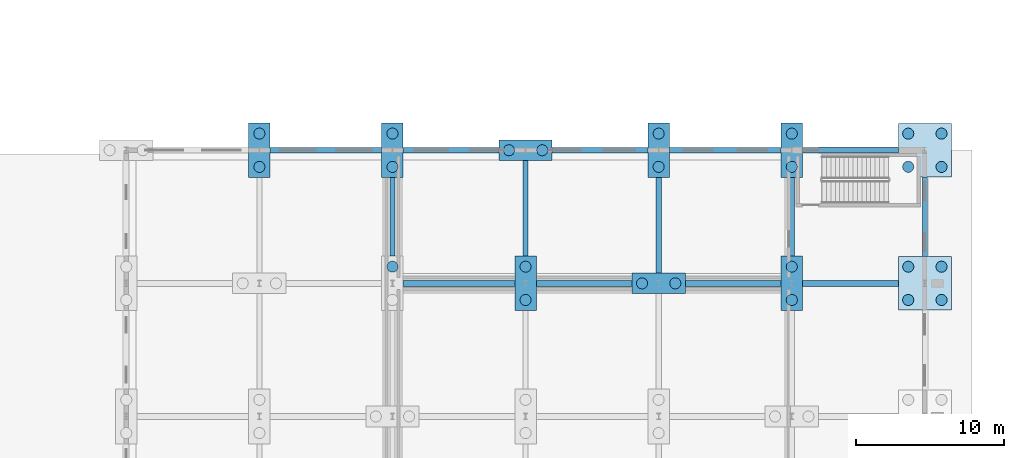
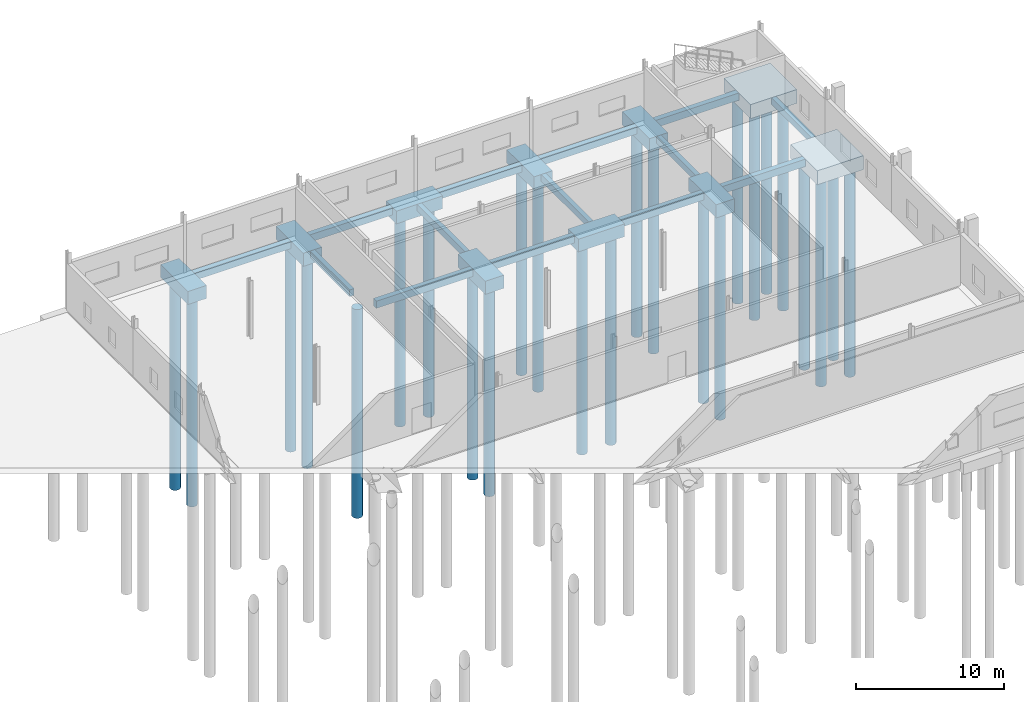
# One storey, part 18 of 112: 25 piles, 24 footings.
"""IFC4 building model written with IfcOpenShell, lengths in metres."""

from ifc_helpers import new_model, si_unit, direction, frame, origin, origin_2d, place, context, subcontext, project, spatial, polyline, rectangle, circle, outline, extrude, material, material_profile, profile_set, type_object, element, save


model = new_model("IFC4")

# Units and contexts
model_context = context("Model", 3, precision=1e-05, world=origin(), true_north=direction((0.0, 1.0)))
body_context = subcontext(model_context, "Body", "Model", "MODEL_VIEW")
ifc_project = project(units=[si_unit("LENGTHUNIT", "METRE"), si_unit("AREAUNIT", "SQUARE_METRE"), si_unit("VOLUMEUNIT", "CUBIC_METRE"), si_unit("PLANEANGLEUNIT", "RADIAN"), si_unit("MASSUNIT", "GRAM", prefix="KILO")], contexts=[model_context])

# Site, building, storey
site_placement = place(None, origin())
site = spatial("IfcSite", under=ifc_project, at=site_placement, CompositionType="ELEMENT")
building_placement = place(site_placement, origin())
building = spatial("IfcBuilding", under=site, at=building_placement, Name="Tharagai Park Tramway Depot", CompositionType="ELEMENT")
storey_placement = place(building_placement, origin())
storey = spatial("IfcBuildingStorey", under=building, at=storey_placement, Name="L00", CompositionType="ELEMENT", Elevation=0.0)

# Piles
ifc_material = material(Name="Concrete M40", Category="concrete")
ifc_material_profile = material_profile(ifc_material, circle(Radius=0.375, at=origin_2d()), Name="PILE D750")
ifc_profile_set = profile_set([ifc_material_profile], Name="Concrete M40")
pile_type = type_object("IfcPileType", Name="BP-02", PredefinedType="BORED", material=ifc_profile_set)
for number, where, z_axis, x_axis, name in (
    (1, (171.0, 133.875, -1.280029296875), (0.0, 0.0, -1.0), (1.0, 0.0, 0.0), "Bored Pile BP-02 (171,135) #1"),
    (2, (171.0, 136.125, -1.280029296875), (0.0, 0.0, -1.0), (1.0, 0.0, 0.0), "Bored Pile BP-02 (171,135) #2"),
    (3, (180.0, 127.125, -1.280029296875), (0.0, 0.0, -1.0), (1.0, 0.0, 0.0), "Bored Pile BP-02 (180,126) #2"),
    (4, (180.0, 133.875, -1.280029296875), (0.0, 0.0, -1.0), (1.0, 0.0, 0.0), "Bored Pile BP-02 (180,135) #1"),
    (5, (180.0, 136.125, -1.280029296875), (0.0, 0.0, -1.0), (1.0, 0.0, 0.0), "Bored Pile BP-02 (180,135) #2"),
    (6, (189.0, 124.875, -1.280029296875), (0.0, 0.0, -1.0), (1.0, 0.0, 0.0), "Bored Pile BP-02 (189,126) #1"),
    (7, (189.0, 127.125, -1.280029296875), (0.0, 0.0, -1.0), (1.0, 0.0, 0.0), "Bored Pile BP-02 (189,126) #2"),
):
    element("IfcPile", number, at=place(storey_placement, frame(where, z_axis=z_axis, x_axis=x_axis)), inside=storey, type_object=pile_type, Name=name, PredefinedType="BORED", context=body_context, shape_type="SweptSolid", body=[
        extrude(circle(Radius=0.375, at=origin_2d()), origin(), (0.0, 0.0, 1.0), 17.219970703125),
    ])
for number, where, z_axis, x_axis, name in (
    (8, (187.875, 135.0, -1.25), (0.0, 0.0, -1.0), (1.0, 0.0, 0.0), "Bored Pile BP-02 (189,135) #1"),
    (9, (190.125, 135.0, -1.25), (0.0, 0.0, -1.0), (1.0, 0.0, 0.0), "Bored Pile BP-02 (189,135) #2"),
    (10, (196.875, 126.0, -1.25), (0.0, 0.0, -1.0), (1.0, 0.0, 0.0), "Bored Pile BP-02 (198,126) #1"),
    (11, (199.125, 126.0, -1.25), (0.0, 0.0, -1.0), (1.0, 0.0, 0.0), "Bored Pile BP-02 (198,126) #2"),
):
    element("IfcPile", number, at=place(storey_placement, frame(where, z_axis=z_axis, x_axis=x_axis)), inside=storey, type_object=pile_type, Name=name, PredefinedType="BORED", context=body_context, shape_type="SweptSolid", body=[
        extrude(circle(Radius=0.375, at=origin_2d()), origin(), (0.0, 0.0, 1.0), 17.25),
    ])
for number, where, z_axis, x_axis, name in (
    (12, (198.0, 133.875, -1.280029296875), (0.0, 0.0, -1.0), (1.0, 0.0, 0.0), "Bored Pile BP-02 (198,135) #1"),
    (13, (198.0, 136.125, -1.280029296875), (0.0, 0.0, -1.0), (1.0, 0.0, 0.0), "Bored Pile BP-02 (198,135) #2"),
    (14, (207.0, 124.875, -1.280029296875), (0.0, 0.0, -1.0), (1.0, 0.0, 0.0), "Bored Pile BP-02 (207,126) #1"),
    (15, (207.0, 127.125, -1.280029296875), (0.0, 0.0, -1.0), (1.0, 0.0, 0.0), "Bored Pile BP-02 (207,126) #2"),
    (16, (207.0, 133.875, -1.280029296875), (0.0, 0.0, -1.0), (1.0, 0.0, 0.0), "Bored Pile BP-02 (207,135) #1"),
    (17, (207.0, 136.125, -1.280029296875), (0.0, 0.0, -1.0), (1.0, 0.0, 0.0), "Bored Pile BP-02 (207,135) #2"),
):
    element("IfcPile", number, at=place(storey_placement, frame(where, z_axis=z_axis, x_axis=x_axis)), inside=storey, type_object=pile_type, Name=name, PredefinedType="BORED", context=body_context, shape_type="SweptSolid", body=[
        extrude(circle(Radius=0.375, at=origin_2d()), origin(), (0.0, 0.0, 1.0), 17.219970703125),
    ])
for number, where, z_axis, x_axis, name in (
    (18, (214.875, 124.875, -1.35009765625), (0.0, 0.0, -1.0), (1.0, 0.0, 0.0), "Bored Pile BP-02 (216,126) #1"),
    (19, (217.125, 124.875, -1.35009765625), (0.0, 0.0, -1.0), (1.0, 0.0, 0.0), "Bored Pile BP-02 (216,126) #2"),
    (20, (214.875, 127.125, -1.35009765625), (0.0, 0.0, -1.0), (1.0, 0.0, 0.0), "Bored Pile BP-02 (216,126) #3"),
    (21, (217.125, 127.125, -1.35009765625), (0.0, 0.0, -1.0), (1.0, 0.0, 0.0), "Bored Pile BP-02 (216,126) #4"),
    (22, (214.875, 133.875, -1.35009765625), (0.0, 0.0, -1.0), (1.0, 0.0, 0.0), "Bored Pile BP-02 (216,135) #1"),
    (23, (217.125, 133.875, -1.35009765625), (0.0, 0.0, -1.0), (1.0, 0.0, 0.0), "Bored Pile BP-02 (216,135) #2"),
    (24, (214.875, 136.125, -1.35009765625), (0.0, 0.0, -1.0), (1.0, 0.0, 0.0), "Bored Pile BP-02 (216,135) #3"),
    (25, (217.125, 136.125, -1.35009765625), (0.0, 0.0, -1.0), (1.0, 0.0, 0.0), "Bored Pile BP-02 (216,135) #4"),
):
    element("IfcPile", number, at=place(storey_placement, frame(where, z_axis=z_axis, x_axis=x_axis)), inside=storey, type_object=pile_type, Name=name, PredefinedType="BORED", context=body_context, shape_type="SweptSolid", body=[
        extrude(circle(Radius=0.375, at=origin_2d()), origin(), (0.0, 0.0, 1.0), 17.14990234375),
    ])

# Footings
footing_type_1 = type_object("IfcFootingType", Name="GB-03", PredefinedType="FOOTING_BEAM", material=ifc_material)
footing_1_placement = place(storey_placement, frame((0.0, 0.0, -0.85009765625)))
element("IfcFooting", 26, at=footing_1_placement, inside=storey, type_object=footing_type_1, Name="Ground Tie Beam GB-03", PredefinedType="FOOTING_BEAM", context=body_context, shape_type="SweptSolid", body=[
    extrude(outline(polyline([(179.824951171875, 127.85009765625), (180.175048828125, 127.85009765625), (180.175048828125, 133.14990234375), (179.824951171875, 133.14990234375), (179.824951171875, 127.85009765625)])), origin(), (0.0, 0.0, 1.0), 0.550048828125),
])
footing_2_placement = place(storey_placement, frame((0.0, 0.0, -0.85009765625)))
element("IfcFooting", 27, at=footing_2_placement, inside=storey, type_object=footing_type_1, Name="Ground Tie Beam GB-03", PredefinedType="FOOTING_BEAM", context=body_context, shape_type="SweptSolid", body=[
    extrude(outline(polyline([(188.824951171875, 127.85009765625), (189.175048828125, 127.85009765625), (189.175048828125, 134.300048828125), (188.824951171875, 134.300048828125), (188.824951171875, 127.85009765625)])), origin(), (0.0, 0.0, 1.0), 0.550048828125),
])
footing_3_placement = place(storey_placement, frame((0.0, 0.0, -0.85009765625)))
element("IfcFooting", 28, at=footing_3_placement, inside=storey, type_object=footing_type_1, Name="Ground Tie Beam GB-03", PredefinedType="FOOTING_BEAM", context=body_context, shape_type="SweptSolid", body=[
    extrude(outline(polyline([(197.824951171875, 126.699951171875), (198.175048828125, 126.699951171875), (198.175048828125, 133.14990234375), (197.824951171875, 133.14990234375), (197.824951171875, 126.699951171875)])), origin(), (0.0, 0.0, 1.0), 0.550048828125),
])
footing_4_placement = place(storey_placement, frame((0.0, 0.0, -0.85009765625)))
element("IfcFooting", 29, at=footing_4_placement, inside=storey, type_object=footing_type_1, Name="Ground Tie Beam GB-03", PredefinedType="FOOTING_BEAM", context=body_context, shape_type="SweptSolid", body=[
    extrude(outline(polyline([(206.824951171875, 127.85009765625), (207.175048828125, 127.85009765625), (207.175048828125, 133.14990234375), (206.824951171875, 133.14990234375), (206.824951171875, 127.85009765625)])), origin(), (0.0, 0.0, 1.0), 0.550048828125),
])
footing_5_placement = place(storey_placement, frame((0.0, 0.0, -0.85009765625)))
element("IfcFooting", 30, at=footing_5_placement, inside=storey, type_object=footing_type_1, Name="Ground Tie Beam GB-03", PredefinedType="FOOTING_BEAM", context=body_context, shape_type="SweptSolid", body=[
    extrude(outline(polyline([(215.824951171875, 127.800048828125), (216.175048828125, 127.800048828125), (216.175048828125, 133.199951171875), (215.824951171875, 133.199951171875), (215.824951171875, 127.800048828125)])), origin(), (0.0, 0.0, 1.0), 0.550048828125),
])
footing_type_2 = type_object("IfcFootingType", Name="GB-04", PredefinedType="FOOTING_BEAM", material=ifc_material)
footing_6_placement = place(storey_placement, frame((0.0, 0.0, -0.89990234375)))
element("IfcFooting", 31, at=footing_6_placement, inside=storey, type_object=footing_type_2, Name="Ground Tie Beam GB-04", PredefinedType="FOOTING_BEAM", context=body_context, shape_type="SweptSolid", body=[
    extrude(outline(polyline([(180.72509765625, 125.800048828125), (188.27490234375, 125.800048828125), (188.27490234375, 126.199951171875), (180.72509765625, 126.199951171875), (180.72509765625, 125.800048828125)])), origin(), (0.0, 0.0, 1.0), 0.599853515625),
])
footing_7_placement = place(storey_placement, frame((0.0, 0.0, -0.89990234375)))
element("IfcFooting", 32, at=footing_7_placement, inside=storey, type_object=footing_type_2, Name="Ground Tie Beam GB-04", PredefinedType="FOOTING_BEAM", context=body_context, shape_type="SweptSolid", body=[
    extrude(outline(polyline([(189.72509765625, 125.800048828125), (196.199951171875, 125.800048828125), (196.199951171875, 126.199951171875), (189.72509765625, 126.199951171875), (189.72509765625, 125.800048828125)])), origin(), (0.0, 0.0, 1.0), 0.599853515625),
])
footing_8_placement = place(storey_placement, frame((0.0, 0.0, -0.89990234375)))
element("IfcFooting", 33, at=footing_8_placement, inside=storey, type_object=footing_type_2, Name="Ground Tie Beam GB-04", PredefinedType="FOOTING_BEAM", context=body_context, shape_type="SweptSolid", body=[
    extrude(outline(polyline([(199.800048828125, 125.800048828125), (206.27490234375, 125.800048828125), (206.27490234375, 126.199951171875), (199.800048828125, 126.199951171875), (199.800048828125, 125.800048828125)])), origin(), (0.0, 0.0, 1.0), 0.599853515625),
])
footing_9_placement = place(storey_placement, frame((0.0, 0.0, -0.89990234375)))
element("IfcFooting", 34, at=footing_9_placement, inside=storey, type_object=footing_type_2, Name="Ground Tie Beam GB-04", PredefinedType="FOOTING_BEAM", context=body_context, shape_type="SweptSolid", body=[
    extrude(outline(polyline([(207.72509765625, 125.800048828125), (214.199951171875, 125.800048828125), (214.199951171875, 126.199951171875), (207.72509765625, 126.199951171875), (207.72509765625, 125.800048828125)])), origin(), (0.0, 0.0, 1.0), 0.599853515625),
])
footing_10_placement = place(storey_placement, frame((0.0, 0.0, -0.89990234375)))
element("IfcFooting", 35, at=footing_10_placement, inside=storey, type_object=footing_type_2, Name="Ground Tie Beam GB-04", PredefinedType="FOOTING_BEAM", context=body_context, shape_type="SweptSolid", body=[
    extrude(outline(polyline([(171.72509765625, 134.800048828125), (179.27490234375, 134.800048828125), (179.27490234375, 135.199951171875), (171.72509765625, 135.199951171875), (171.72509765625, 134.800048828125)])), origin(), (0.0, 0.0, 1.0), 0.599853515625),
])
footing_11_placement = place(storey_placement, frame((0.0, 0.0, -0.89990234375)))
element("IfcFooting", 36, at=footing_11_placement, inside=storey, type_object=footing_type_2, Name="Ground Tie Beam GB-04", PredefinedType="FOOTING_BEAM", context=body_context, shape_type="SweptSolid", body=[
    extrude(outline(polyline([(180.72509765625, 134.800048828125), (187.199951171875, 134.800048828125), (187.199951171875, 135.199951171875), (180.72509765625, 135.199951171875), (180.72509765625, 134.800048828125)])), origin(), (0.0, 0.0, 1.0), 0.599853515625),
])
footing_12_placement = place(storey_placement, frame((0.0, 0.0, -0.89990234375)))
element("IfcFooting", 37, at=footing_12_placement, inside=storey, type_object=footing_type_2, Name="Ground Tie Beam GB-04", PredefinedType="FOOTING_BEAM", context=body_context, shape_type="SweptSolid", body=[
    extrude(outline(polyline([(190.800048828125, 134.800048828125), (197.27490234375, 134.800048828125), (197.27490234375, 135.199951171875), (190.800048828125, 135.199951171875), (190.800048828125, 134.800048828125)])), origin(), (0.0, 0.0, 1.0), 0.599853515625),
])
footing_13_placement = place(storey_placement, frame((0.0, 0.0, -0.89990234375)))
element("IfcFooting", 38, at=footing_13_placement, inside=storey, type_object=footing_type_2, Name="Ground Tie Beam GB-04", PredefinedType="FOOTING_BEAM", context=body_context, shape_type="SweptSolid", body=[
    extrude(outline(polyline([(198.72509765625, 134.800048828125), (206.27490234375, 134.800048828125), (206.27490234375, 135.199951171875), (198.72509765625, 135.199951171875), (198.72509765625, 134.800048828125)])), origin(), (0.0, 0.0, 1.0), 0.599853515625),
])
footing_14_placement = place(storey_placement, frame((0.0, 0.0, -0.89990234375)))
element("IfcFooting", 39, at=footing_14_placement, inside=storey, type_object=footing_type_2, Name="Ground Tie Beam GB-04", PredefinedType="FOOTING_BEAM", context=body_context, shape_type="SweptSolid", body=[
    extrude(outline(polyline([(207.72509765625, 134.800048828125), (214.199951171875, 134.800048828125), (214.199951171875, 135.199951171875), (207.72509765625, 135.199951171875), (207.72509765625, 134.800048828125)])), origin(), (0.0, 0.0, 1.0), 0.599853515625),
])
footing_type_3 = type_object("IfcFootingType", Name="PC-03", PredefinedType="PILE_CAP", material=ifc_material)
for number, where, z_axis, x_axis, name in (
    (40, (216.0, 126.0, -1.449951171875), (0.0, 0.0, 1.0), (1.0, 0.0, 0.0), "Pile Cap PC-03 (216,126)"),
    (41, (216.0, 135.0, -1.449951171875), (0.0, 0.0, 1.0), (1.0, 0.0, 0.0), "Pile Cap PC-03 (216,135)"),
):
    element("IfcFooting", number, at=place(storey_placement, frame(where, z_axis=z_axis, x_axis=x_axis)), inside=storey, type_object=footing_type_3, Name=name, PredefinedType="PILE_CAP", context=body_context, shape_type="SweptSolid", body=[
        extrude(rectangle(XDim=3.60009765625, YDim=3.60009765625, at=origin_2d()), origin(), (0.0, 0.0, 1.0), 1.14990234375),
    ])
footing_type_4 = type_object("IfcFootingType", Name="PC-11", PredefinedType="PILE_CAP", material=ifc_material)
for number, where, z_axis, x_axis, name in (
    (42, (189.0, 135.0, -1.35009765625), (0.0, 0.0, 1.0), (1.0, 0.0, 0.0), "Pile Cap PC-11 (189,135)"),
    (43, (198.0, 126.0, -1.35009765625), (0.0, 0.0, 1.0), (1.0, 0.0, 0.0), "Pile Cap PC-11 (198,126)"),
):
    element("IfcFooting", number, at=place(storey_placement, frame(where, z_axis=z_axis, x_axis=x_axis)), inside=storey, type_object=footing_type_4, Name=name, PredefinedType="PILE_CAP", context=body_context, shape_type="SweptSolid", body=[
        extrude(rectangle(XDim=3.60009765625, YDim=1.39990234375, at=origin_2d()), origin(), (0.0, 0.0, 1.0), 1.050048828125),
    ])
footing_type_5 = type_object("IfcFootingType", Name="PC-14", PredefinedType="PILE_CAP", material=ifc_material)
for number, where, z_axis, x_axis, name in (
    (44, (171.0, 135.0, -1.380126953125), (0.0, 0.0, 1.0), (1.0, 0.0, 0.0), "Pile Cap PC-14 (171,135)"),
    (45, (180.0, 135.0, -1.380126953125), (0.0, 0.0, 1.0), (1.0, 0.0, 0.0), "Pile Cap PC-14 (180,135)"),
    (46, (189.0, 126.0, -1.380126953125), (0.0, 0.0, 1.0), (1.0, 0.0, 0.0), "Pile Cap PC-14 (189,126)"),
    (47, (198.0, 135.0, -1.380126953125), (0.0, 0.0, 1.0), (1.0, 0.0, 0.0), "Pile Cap PC-14 (198,135)"),
    (48, (207.0, 126.0, -1.380126953125), (0.0, 0.0, 1.0), (1.0, 0.0, 0.0), "Pile Cap PC-14 (207,126)"),
    (49, (207.0, 135.0, -1.380126953125), (0.0, 0.0, 1.0), (1.0, 0.0, 0.0), "Pile Cap PC-14 (207,135)"),
):
    element("IfcFooting", number, at=place(storey_placement, frame(where, z_axis=z_axis, x_axis=x_axis)), inside=storey, type_object=footing_type_5, Name=name, PredefinedType="PILE_CAP", context=body_context, shape_type="SweptSolid", body=[
        extrude(rectangle(XDim=1.449951171875, YDim=3.699951171875, at=origin_2d()), origin(), (0.0, 0.0, 1.0), 1.080078125),
    ])

save(model, "model.ifc")
